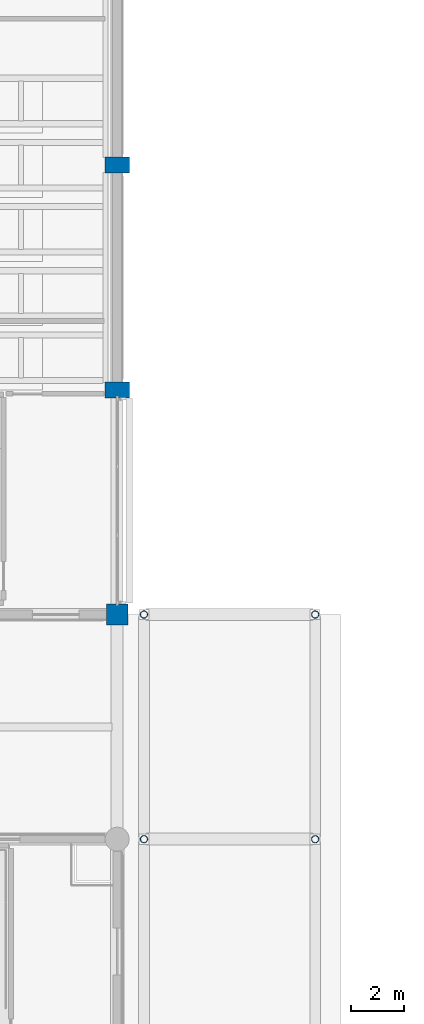
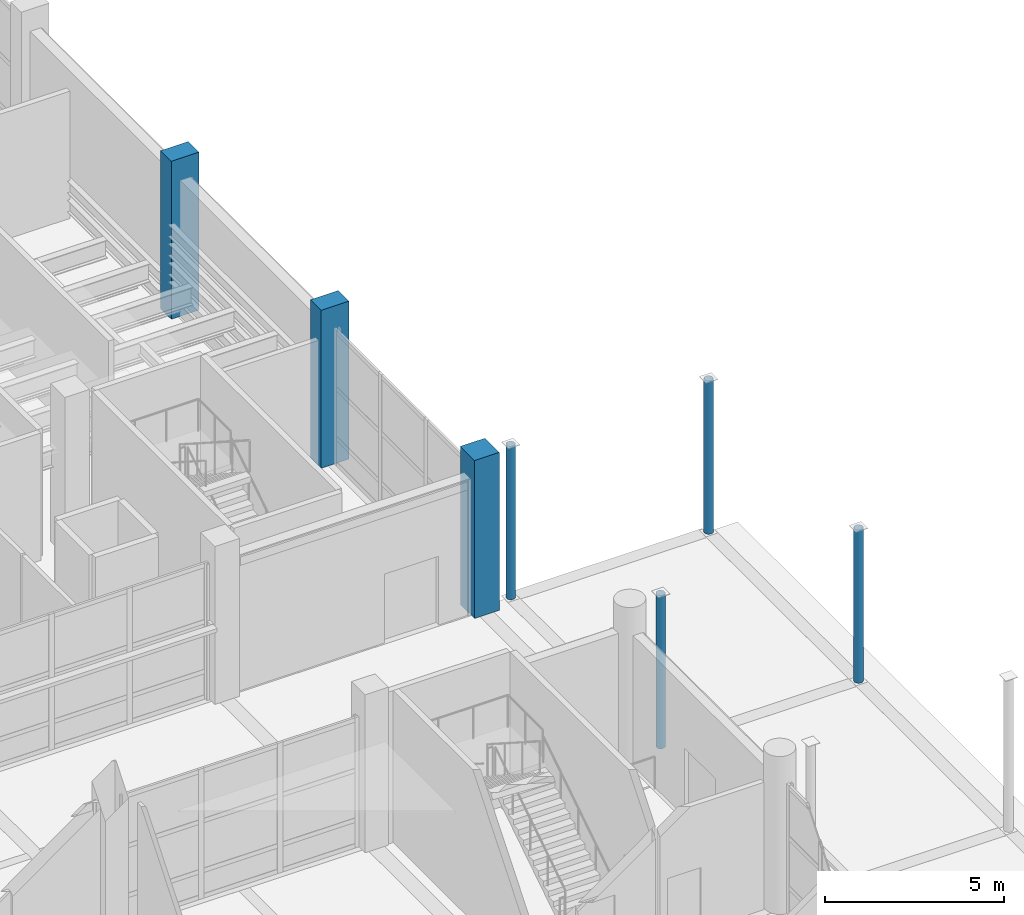
# One storey, part 12 of 140: 7 columns.
"""IFC4 building model written with IfcOpenShell, lengths in metres."""

from ifc_helpers import new_model, si_unit, direction, frame, origin, origin_2d, place, context, subcontext, project, spatial, rectangle, hollow_circle, extrude, material, material_profile, profile_set, type_object, element, save


model = new_model("IFC4")

# Units and contexts
model_context = context("Model", 3, precision=1e-05, world=origin(), true_north=direction((0.0, 1.0)))
body_context = subcontext(model_context, "Body", "Model", "MODEL_VIEW")
ifc_project = project(units=[si_unit("LENGTHUNIT", "METRE"), si_unit("AREAUNIT", "SQUARE_METRE"), si_unit("VOLUMEUNIT", "CUBIC_METRE"), si_unit("PLANEANGLEUNIT", "RADIAN"), si_unit("MASSUNIT", "GRAM", prefix="KILO")], contexts=[model_context])

# Site, building, storey
site_placement = place(None, origin())
site = spatial("IfcSite", under=ifc_project, at=site_placement, CompositionType="ELEMENT")
building_placement = place(site_placement, origin())
building = spatial("IfcBuilding", under=site, at=building_placement, Name="Telukmera Botanical Conservatory", CompositionType="ELEMENT")
storey_placement = place(building_placement, origin())
storey = spatial("IfcBuildingStorey", under=building, at=storey_placement, Name="L00", CompositionType="ELEMENT", Elevation=0.0)

# Columns
ifc_material_1 = material(Name="Concrete C40/50", Category="concrete")
ifc_material_profile_1 = material_profile(ifc_material_1, rectangle(XDim=0.60009765625, YDim=0.89990234375, at=origin_2d()), Name="RC 900x600")
ifc_profile_set_1 = profile_set([ifc_material_profile_1], Name="Concrete C40/50")
column_type_1 = type_object("IfcColumnType", Name="Col_C15", PredefinedType="COLUMN", material=ifc_profile_set_1)
for number, where, z_axis, x_axis, name in (
    (1, (42.0, 91.60009765625, 0.0), (0.0, 0.0, 1.0), (0.0, 1.0, 0.0), "Column V2-L00 (42.0,91.6)"),
    (2, (42.0, 100.0, 0.0), (0.0, 0.0, 1.0), (0.0, 1.0, 0.0), "Column V2-L00 (42.0,100.0)"),
):
    element("IfcColumn", number, at=place(storey_placement, frame(where, z_axis=z_axis, x_axis=x_axis)), inside=storey, type_object=column_type_1, Name=name, PredefinedType="COLUMN", context=body_context, shape_type="SweptSolid", body=[
        extrude(rectangle(XDim=0.60009765625, YDim=0.89990234375, at=origin_2d()), origin(), (0.0, 0.0, 1.0), 5.39990234375),
    ])
ifc_material_2 = material(Name="Concrete C50/60", Category="concrete")
ifc_material_profile_2 = material_profile(ifc_material_2, rectangle(XDim=0.800048828125, YDim=0.800048828125, at=origin_2d()), Name="RC 800x800")
ifc_profile_set_2 = profile_set([ifc_material_profile_2], Name="Concrete C50/60")
column_type_2 = type_object("IfcColumnType", Name="Col_C7", PredefinedType="COLUMN", material=ifc_profile_set_2)
column_placement = place(storey_placement, frame((42.0, 83.199951171875, 0.0), z_axis=(0.0, 0.0, 1.0), x_axis=(1.0, 0.0, 0.0)))
element("IfcColumn", 3, at=column_placement, inside=storey, type_object=column_type_2, Name="Column V2-L00 (42.0,83.2)", PredefinedType="COLUMN", context=body_context, shape_type="SweptSolid", body=[
    extrude(rectangle(XDim=0.800048828125, YDim=0.800048828125, at=origin_2d()), origin(), (0.0, 0.0, 1.0), 5.39990234375),
])
ifc_material_3 = material(Name="Steel S355", Category="steel")
ifc_material_profile_3 = material_profile(ifc_material_3, hollow_circle(Radius=0.136474609375, WallThickness=0.010009765625, at=origin_2d()), Name="CHS 273.0x10.0")
ifc_profile_set_3 = profile_set([ifc_material_profile_3], Name="Steel S355")
column_type_3 = type_object("IfcColumnType", Name="Col_SC2", PredefinedType="COLUMN", material=ifc_profile_set_3)
for number, where, z_axis, x_axis, name in (
    (4, (43.0, 74.800048828125, 0.0), (0.0, 0.0, 1.0), (1.0, 0.0, 0.0), "Column V5-L00 (43.0,74.8)"),
    (5, (49.39990234375, 74.800048828125, 0.0), (0.0, 0.0, 1.0), (1.0, 0.0, 0.0), "Column V5-L00 (49.4,74.8)"),
    (6, (43.0, 83.199951171875, 0.0), (0.0, 0.0, 1.0), (1.0, 0.0, 0.0), "Column V5-L00 (43.0,83.2)"),
    (7, (49.39990234375, 83.199951171875, 0.0), (0.0, 0.0, 1.0), (1.0, 0.0, 0.0), "Column V5-L00 (49.4,83.2)"),
):
    element("IfcColumn", number, at=place(storey_placement, frame(where, z_axis=z_axis, x_axis=x_axis)), inside=storey, type_object=column_type_3, Name=name, PredefinedType="COLUMN", context=body_context, shape_type="SweptSolid", body=[
        extrude(hollow_circle(Radius=0.136474609375, WallThickness=0.010009765625, at=origin_2d()), origin(), (0.0, 0.0, 1.0), 5.239990234375),
    ])

save(model, "model.ifc")
